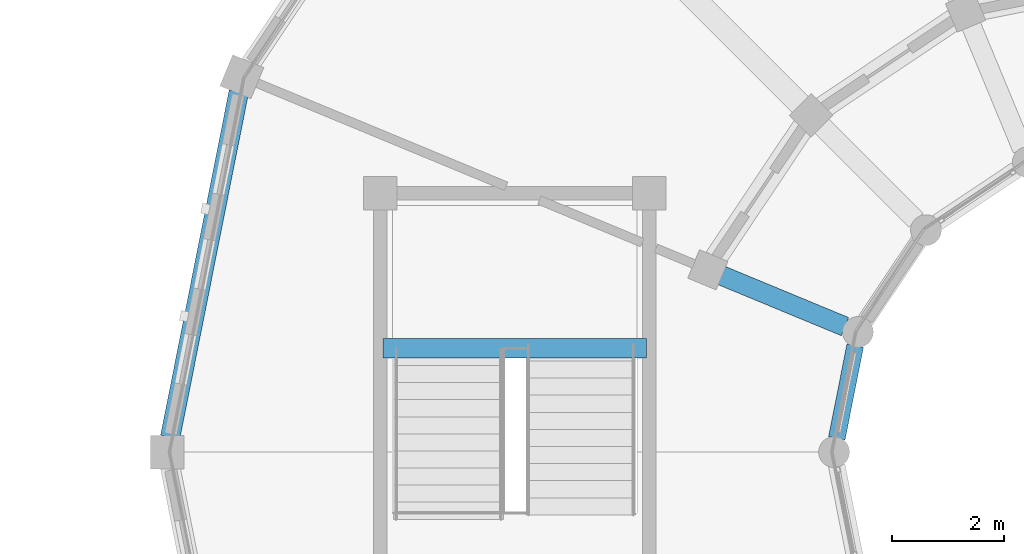
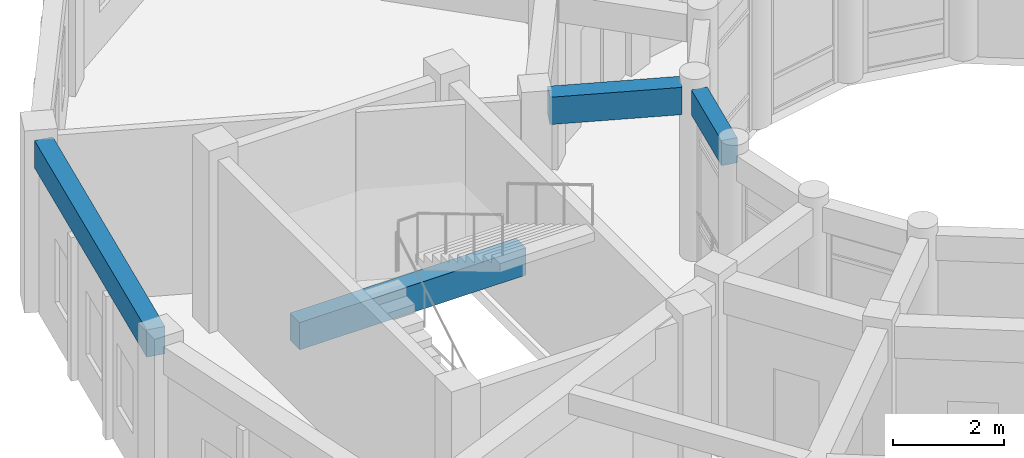
# One storey, part 68 of 159: 4 beams.
"""IFC4 building model written with IfcOpenShell, lengths in metres."""

from ifc_helpers import new_model, si_unit, direction, frame, origin, origin_2d, place, context, subcontext, project, spatial, rectangle, extrude, material, material_profile, profile_set, type_object, element, save


model = new_model("IFC4")

# Units and contexts
model_context = context("Model", 3, precision=1e-05, world=origin(), true_north=direction((0.0, 1.0)))
body_context = subcontext(model_context, "Body", "Model", "MODEL_VIEW")
ifc_project = project(units=[si_unit("LENGTHUNIT", "METRE"), si_unit("AREAUNIT", "SQUARE_METRE"), si_unit("VOLUMEUNIT", "CUBIC_METRE"), si_unit("PLANEANGLEUNIT", "RADIAN"), si_unit("MASSUNIT", "GRAM", prefix="KILO")], contexts=[model_context])

# Site, building, storey
site_placement = place(None, origin())
site = spatial("IfcSite", under=ifc_project, at=site_placement, CompositionType="ELEMENT")
building_placement = place(site_placement, origin())
building = spatial("IfcBuilding", under=site, at=building_placement, Name="Celadon Cloister-Ring School", CompositionType="ELEMENT")
storey_placement = place(building_placement, frame((0.0, 0.0, 4.5)))
storey = spatial("IfcBuildingStorey", under=building, at=storey_placement, Name="L01", CompositionType="ELEMENT", Elevation=4.5)

# Beams
ifc_material_1 = material(Name="Concrete C35/45", Category="concrete")
ifc_material_profile_1 = material_profile(ifc_material_1, rectangle(XDim=0.35009765625, YDim=0.60009765625, at=origin_2d()), Name="RC350X600")
ifc_profile_set_1 = profile_set([ifc_material_profile_1], Name="Concrete C35/45")
beam_type_1 = type_object("IfcBeamType", Name="BT-02", PredefinedType="BEAM", material=ifc_profile_set_1)
beam_1_placement = place(storey_placement, frame((12.577880859375, 100.156982421875, 3.47998046875), z_axis=(0.923932522988, -0.382555476978, 0.0), x_axis=(0.382555476978, 0.923932522988, 0.0)))
element("IfcBeam", 1, at=beam_1_placement, inside=storey, type_object=beam_type_1, Name="Beam 0671", PredefinedType="BEAM", context=body_context, shape_type="SweptSolid", body=[
    extrude(rectangle(XDim=0.35009765625, YDim=0.60009765625, at=origin_2d()), origin(), (0.0, 0.0, 1.0), 2.399658203125),
])
beam_2_placement = place(storey_placement, frame((6.550048828125, 98.85009765625, 1.419921875), z_axis=(1.0, 0.0, 0.0), x_axis=(0.0, 1.0, 0.0)))
element("IfcBeam", 2, at=beam_2_placement, inside=storey, type_object=beam_type_1, Name="Stair Landing Beam 1738", PredefinedType="BEAM", context=body_context, shape_type="SweptSolid", body=[
    extrude(rectangle(XDim=0.35009765625, YDim=0.60009765625, at=origin_2d()), origin(), (0.0, 0.0, 1.0), 4.699951171875),
])
ifc_material_2 = material(Name="Concrete C35/45", Category="concrete")
ifc_material_profile_2 = material_profile(ifc_material_2, rectangle(XDim=0.35009765625, YDim=0.60009765625, at=origin_2d()), Name="RC350X600")
ifc_profile_set_2 = profile_set([ifc_material_profile_2], Name="Concrete C35/45")
beam_type_2 = type_object("IfcBeamType", Name="SP-01", PredefinedType="SPANDREL", material=ifc_profile_set_2)
beam_3_placement = place(storey_placement, frame((3.97802734375, 103.427001953125, 3.47998046875), z_axis=(-0.195001619501, -0.980802920261, 0.0), x_axis=(0.980802920261, -0.195001619501, 0.0)))
element("IfcBeam", 3, at=beam_3_placement, inside=storey, type_object=beam_type_2, Name="Beam 0708", PredefinedType="SPANDREL", context=body_context, shape_type="SweptSolid", body=[
    extrude(rectangle(XDim=0.35009765625, YDim=0.60009765625, at=origin_2d()), origin(), (0.0, 0.0, 1.0), 6.277587890625),
])
ifc_material_3 = material(Name="Concrete C35/45", Category="concrete")
ifc_material_profile_3 = material_profile(ifc_material_3, rectangle(XDim=0.300048828125, YDim=0.550048828125, at=origin_2d()), Name="RC300X550")
ifc_profile_set_3 = profile_set([ifc_material_profile_3], Name="Concrete C35/45")
beam_type_3 = type_object("IfcBeamType", Name="SP-02", PredefinedType="SPANDREL", material=ifc_profile_set_3)
beam_4_placement = place(storey_placement, frame((14.97705078125, 98.89794921875, 3.5048828125), z_axis=(-0.194722830887, -0.980858307367, 0.0), x_axis=(0.980858307367, -0.194722830887, 0.0)))
element("IfcBeam", 4, at=beam_4_placement, inside=storey, type_object=beam_type_3, Name="Beam 0709", PredefinedType="SPANDREL", context=body_context, shape_type="SweptSolid", body=[
    extrude(rectangle(XDim=0.300048828125, YDim=0.550048828125, at=origin_2d()), origin(), (0.0, 0.0, 1.0), 1.68505859375),
])

save(model, "model.ifc")
